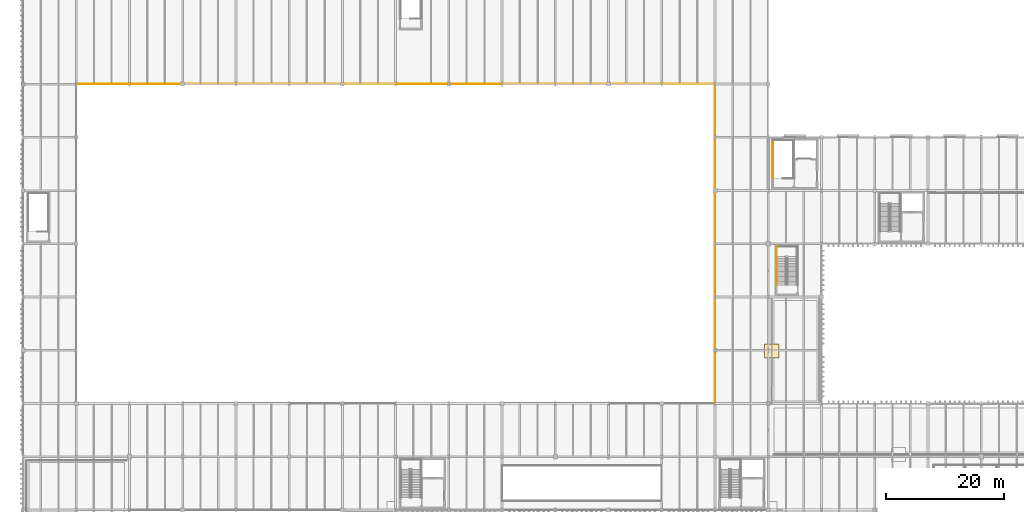
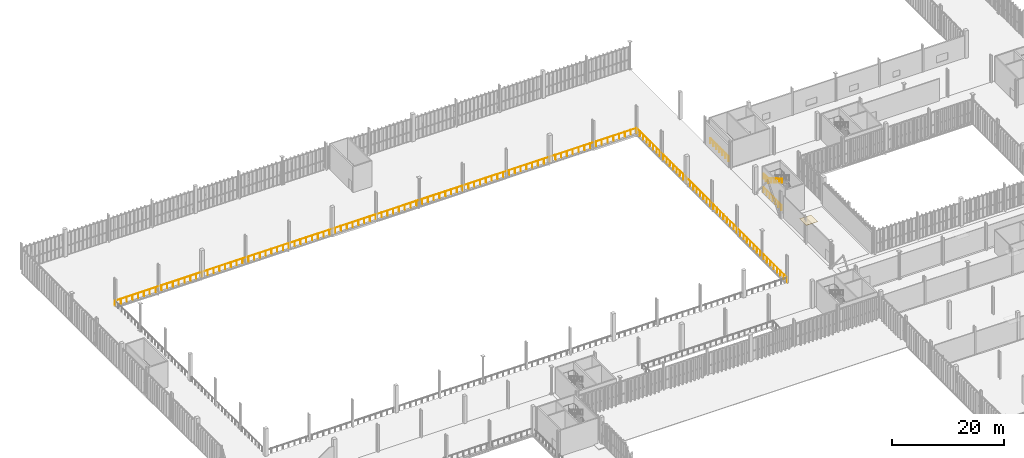
# One storey, part 198 of 211: 6 railings, 1 covering.
"""IFC4 building model written with IfcOpenShell, lengths in metres."""

from ifc_helpers import new_model, si_unit, direction, frame, origin, origin_2d, place, context, subcontext, project, spatial, polyline, circle, outline, extrude, material, layer, layer_set, type_object, element, save


model = new_model("IFC4")

# Units and contexts
model_context = context("Model", 3, precision=1e-05, world=origin(), true_north=direction((0.0, 1.0)))
body_context = subcontext(model_context, "Body", "Model", "MODEL_VIEW")
ifc_project = project(units=[si_unit("LENGTHUNIT", "METRE"), si_unit("AREAUNIT", "SQUARE_METRE"), si_unit("VOLUMEUNIT", "CUBIC_METRE"), si_unit("PLANEANGLEUNIT", "RADIAN"), si_unit("MASSUNIT", "GRAM", prefix="KILO")], contexts=[model_context])

# Site, building, storey
site_placement = place(None, origin())
site = spatial("IfcSite", under=ifc_project, at=site_placement, CompositionType="ELEMENT")
building_placement = place(site_placement, origin())
building = spatial("IfcBuilding", under=site, at=building_placement, Name="Barlavento Convention Centre", CompositionType="ELEMENT")
storey_placement = place(building_placement, frame((0.0, 0.0, 6.0)))
storey = spatial("IfcBuildingStorey", under=building, at=storey_placement, Name="L01", CompositionType="ELEMENT", Elevation=6.0)

# Covering
ifc_material_1 = material(Name="Perforated mineral-fibre acoustic board")
ifc_layer = layer(ifc_material_1, 0.0400390625)
ifc_layer_set = layer_set([ifc_layer], Name="ARC-COV-CEIL-ACOU")
covering_type = type_object("IfcCoveringType", Name="ARC-COV-CEIL-ACOU", PredefinedType="CEILING", material=ifc_layer_set)
covering_placement = place(storey_placement, frame((0.0, 0.0, 4.85009765625)))
element("IfcCovering", 1, at=covering_placement, inside=storey, type_object=covering_type, Name="L01 acoustic ceiling panel", PredefinedType="CEILING", context=body_context, shape_type="SweptSolid", body=[
    extrude(outline(polyline([(125.39990234375, 70.699951171875), (127.800048828125, 70.699951171875), (127.800048828125, 73.10009765625), (125.39990234375, 73.10009765625), (125.39990234375, 70.699951171875)])), origin(), (0.0, 0.0, 1.0), 0.039794921875),
])

# Railings
ifc_material_2 = material(Name="Stainless steel and laminated glass balustrade", Category="steel")
railing_type_1 = type_object("IfcRailingType", Name="ARC-RAL-BAL-1100", PredefinedType="BALUSTRADE", material=ifc_material_2)
railing_1_placement = place(storey_placement, frame((126.85009765625, 107.530029296875, 0.0)))
element("IfcRailing", 2, at=railing_1_placement, inside=storey, type_object=railing_type_1, Name="L01 stairwell perimeter guard GR01", PredefinedType="BALUSTRADE", context=body_context, shape_type="SweptSolid", body=[
    extrude(circle(Radius=0.02392578125, at=origin_2d()), frame((0.0, 0.0, 1.076171875), z_axis=(0.0, -1.0, 0.0), x_axis=(1.0, 0.0, 0.0)), (0.0, 0.0, 1.0), 6.43505859375),
    extrude(circle(Radius=0.02099609375, at=origin_2d()), origin(), (0.0, 0.0, 1.0), 1.052001953125),
    extrude(circle(Radius=0.02099609375, at=origin_2d()), frame((0.0, -1.072509765625, 0.0)), (0.0, 0.0, 1.0), 1.052001953125),
    extrude(circle(Radius=0.02099609375, at=origin_2d()), frame((0.0, -2.14501953125, 0.0)), (0.0, 0.0, 1.0), 1.052001953125),
    extrude(circle(Radius=0.02099609375, at=origin_2d()), frame((0.0, -3.217529296875, 0.0)), (0.0, 0.0, 1.0), 1.052001953125),
    extrude(circle(Radius=0.02099609375, at=origin_2d()), frame((0.0, -4.2900390625, 0.0)), (0.0, 0.0, 1.0), 1.052001953125),
    extrude(circle(Radius=0.02099609375, at=origin_2d()), frame((0.0, -5.362548828125, 0.0)), (0.0, 0.0, 1.0), 1.052001953125),
    extrude(circle(Radius=0.02099609375, at=origin_2d()), frame((0.0, -6.43505859375, 0.0)), (0.0, 0.0, 1.0), 1.052001953125),
])
railing_2_placement = place(storey_placement, frame((127.449951171875, 87.830078125, 3.0)))
element("IfcRailing", 3, at=railing_2_placement, inside=storey, type_object=railing_type_1, Name="L01 landing guard GR01", PredefinedType="BALUSTRADE", context=body_context, shape_type="SweptSolid", body=[
    extrude(circle(Radius=0.02392578125, at=origin_2d()), frame((0.0, 0.0, 1.076171875), z_axis=(0.0, 1.0, 0.0), x_axis=(-1.0, 0.0, 0.0)), (0.0, 0.0, 1.0), 1.699951171875),
    extrude(circle(Radius=0.02099609375, at=origin_2d()), origin(), (0.0, 0.0, 1.0), 1.052001953125),
    extrude(circle(Radius=0.02099609375, at=origin_2d()), frame((0.0, 0.85009765625, 0.0)), (0.0, 0.0, 1.0), 1.052001953125),
    extrude(circle(Radius=0.02099609375, at=origin_2d()), frame((0.0, 1.699951171875, 0.0)), (0.0, 0.0, 1.0), 1.052001953125),
])
railing_3_placement = place(storey_placement, frame((127.449951171875, 89.530029296875, 0.0)))
element("IfcRailing", 4, at=railing_3_placement, inside=storey, type_object=railing_type_1, Name="L01 stairwell perimeter guard GR01", PredefinedType="BALUSTRADE", context=body_context, shape_type="SweptSolid", body=[
    extrude(circle(Radius=0.02392578125, at=origin_2d()), frame((0.0, 0.0, 1.076171875), z_axis=(0.0, -1.0, 0.0), x_axis=(1.0, 0.0, 0.0)), (0.0, 0.0, 1.0), 6.43505859375),
    extrude(circle(Radius=0.02099609375, at=origin_2d()), origin(), (0.0, 0.0, 1.0), 1.052001953125),
    extrude(circle(Radius=0.02099609375, at=origin_2d()), frame((0.0, -1.072509765625, 0.0)), (0.0, 0.0, 1.0), 1.052001953125),
    extrude(circle(Radius=0.02099609375, at=origin_2d()), frame((0.0, -2.14501953125, 0.0)), (0.0, 0.0, 1.0), 1.052001953125),
    extrude(circle(Radius=0.02099609375, at=origin_2d()), frame((0.0, -3.217529296875, 0.0)), (0.0, 0.0, 1.0), 1.052001953125),
    extrude(circle(Radius=0.02099609375, at=origin_2d()), frame((0.0, -4.2900390625, 0.0)), (0.0, 0.0, 1.0), 1.052001953125),
    extrude(circle(Radius=0.02099609375, at=origin_2d()), frame((0.0, -5.362548828125, 0.0)), (0.0, 0.0, 1.0), 1.052001953125),
    extrude(circle(Radius=0.02099609375, at=origin_2d()), frame((0.0, -6.43505859375, 0.0)), (0.0, 0.0, 1.0), 1.052001953125),
])
railing_4_placement = place(storey_placement, frame((117.0, 63.0, 0.0)))
element("IfcRailing", 5, at=railing_4_placement, inside=storey, type_object=railing_type_1, Name="L01 interior atrium or gallery balustrade GR01", PredefinedType="BALUSTRADE", context=body_context, shape_type="SweptSolid", body=[
    extrude(circle(Radius=0.02392578125, at=origin_2d()), frame((0.0, 0.0, 1.076171875), z_axis=(0.0, 1.0, 0.0), x_axis=(-1.0, 0.0, 0.0)), (0.0, 0.0, 1.0), 54.0),
    extrude(circle(Radius=0.02099609375, at=origin_2d()), origin(), (0.0, 0.0, 1.0), 1.052001953125),
    extrude(circle(Radius=0.02099609375, at=origin_2d()), frame((0.0, 1.199951171875, 0.0)), (0.0, 0.0, 1.0), 1.052001953125),
    extrude(circle(Radius=0.02099609375, at=origin_2d()), frame((0.0, 2.39990234375, 0.0)), (0.0, 0.0, 1.0), 1.052001953125),
    extrude(circle(Radius=0.02099609375, at=origin_2d()), frame((0.0, 3.60009765625, 0.0)), (0.0, 0.0, 1.0), 1.052001953125),
    extrude(circle(Radius=0.02099609375, at=origin_2d()), frame((0.0, 4.800048828125, 0.0)), (0.0, 0.0, 1.0), 1.052001953125),
    extrude(circle(Radius=0.02099609375, at=origin_2d()), frame((0.0, 6.0, 0.0)), (0.0, 0.0, 1.0), 1.052001953125),
    extrude(circle(Radius=0.02099609375, at=origin_2d()), frame((0.0, 7.199951171875, 0.0)), (0.0, 0.0, 1.0), 1.052001953125),
    extrude(circle(Radius=0.02099609375, at=origin_2d()), frame((0.0, 8.39990234375, 0.0)), (0.0, 0.0, 1.0), 1.052001953125),
    extrude(circle(Radius=0.02099609375, at=origin_2d()), frame((0.0, 9.60009765625, 0.0)), (0.0, 0.0, 1.0), 1.052001953125),
    extrude(circle(Radius=0.02099609375, at=origin_2d()), frame((0.0, 10.800048828125, 0.0)), (0.0, 0.0, 1.0), 1.052001953125),
    extrude(circle(Radius=0.02099609375, at=origin_2d()), frame((0.0, 12.0, 0.0)), (0.0, 0.0, 1.0), 1.052001953125),
    extrude(circle(Radius=0.02099609375, at=origin_2d()), frame((0.0, 13.199951171875, 0.0)), (0.0, 0.0, 1.0), 1.052001953125),
    extrude(circle(Radius=0.02099609375, at=origin_2d()), frame((0.0, 14.39990234375, 0.0)), (0.0, 0.0, 1.0), 1.052001953125),
    extrude(circle(Radius=0.02099609375, at=origin_2d()), frame((0.0, 15.60009765625, 0.0)), (0.0, 0.0, 1.0), 1.052001953125),
    extrude(circle(Radius=0.02099609375, at=origin_2d()), frame((0.0, 16.800048828125, 0.0)), (0.0, 0.0, 1.0), 1.052001953125),
    extrude(circle(Radius=0.02099609375, at=origin_2d()), frame((0.0, 18.0, 0.0)), (0.0, 0.0, 1.0), 1.052001953125),
    extrude(circle(Radius=0.02099609375, at=origin_2d()), frame((0.0, 19.199951171875, 0.0)), (0.0, 0.0, 1.0), 1.052001953125),
    extrude(circle(Radius=0.02099609375, at=origin_2d()), frame((0.0, 20.39990234375, 0.0)), (0.0, 0.0, 1.0), 1.052001953125),
    extrude(circle(Radius=0.02099609375, at=origin_2d()), frame((0.0, 21.60009765625, 0.0)), (0.0, 0.0, 1.0), 1.052001953125),
    extrude(circle(Radius=0.02099609375, at=origin_2d()), frame((0.0, 22.800048828125, 0.0)), (0.0, 0.0, 1.0), 1.052001953125),
    extrude(circle(Radius=0.02099609375, at=origin_2d()), frame((0.0, 24.0, 0.0)), (0.0, 0.0, 1.0), 1.052001953125),
    extrude(circle(Radius=0.02099609375, at=origin_2d()), frame((0.0, 25.199951171875, 0.0)), (0.0, 0.0, 1.0), 1.052001953125),
    extrude(circle(Radius=0.02099609375, at=origin_2d()), frame((0.0, 26.39990234375, 0.0)), (0.0, 0.0, 1.0), 1.052001953125),
    extrude(circle(Radius=0.02099609375, at=origin_2d()), frame((0.0, 27.60009765625, 0.0)), (0.0, 0.0, 1.0), 1.052001953125),
    extrude(circle(Radius=0.02099609375, at=origin_2d()), frame((0.0, 28.800048828125, 0.0)), (0.0, 0.0, 1.0), 1.052001953125),
    extrude(circle(Radius=0.02099609375, at=origin_2d()), frame((0.0, 30.0, 0.0)), (0.0, 0.0, 1.0), 1.052001953125),
    extrude(circle(Radius=0.02099609375, at=origin_2d()), frame((0.0, 31.199951171875, 0.0)), (0.0, 0.0, 1.0), 1.052001953125),
    extrude(circle(Radius=0.02099609375, at=origin_2d()), frame((0.0, 32.39990234375, 0.0)), (0.0, 0.0, 1.0), 1.052001953125),
    extrude(circle(Radius=0.02099609375, at=origin_2d()), frame((0.0, 33.60009765625, 0.0)), (0.0, 0.0, 1.0), 1.052001953125),
    extrude(circle(Radius=0.02099609375, at=origin_2d()), frame((0.0, 34.800048828125, 0.0)), (0.0, 0.0, 1.0), 1.052001953125),
    extrude(circle(Radius=0.02099609375, at=origin_2d()), frame((0.0, 36.0, 0.0)), (0.0, 0.0, 1.0), 1.052001953125),
    extrude(circle(Radius=0.02099609375, at=origin_2d()), frame((0.0, 37.199951171875, 0.0)), (0.0, 0.0, 1.0), 1.052001953125),
    extrude(circle(Radius=0.02099609375, at=origin_2d()), frame((0.0, 38.39990234375, 0.0)), (0.0, 0.0, 1.0), 1.052001953125),
    extrude(circle(Radius=0.02099609375, at=origin_2d()), frame((0.0, 39.60009765625, 0.0)), (0.0, 0.0, 1.0), 1.052001953125),
    extrude(circle(Radius=0.02099609375, at=origin_2d()), frame((0.0, 40.800048828125, 0.0)), (0.0, 0.0, 1.0), 1.052001953125),
    extrude(circle(Radius=0.02099609375, at=origin_2d()), frame((0.0, 42.0, 0.0)), (0.0, 0.0, 1.0), 1.052001953125),
    extrude(circle(Radius=0.02099609375, at=origin_2d()), frame((0.0, 43.199951171875, 0.0)), (0.0, 0.0, 1.0), 1.052001953125),
    extrude(circle(Radius=0.02099609375, at=origin_2d()), frame((0.0, 44.39990234375, 0.0)), (0.0, 0.0, 1.0), 1.052001953125),
    extrude(circle(Radius=0.02099609375, at=origin_2d()), frame((0.0, 45.60009765625, 0.0)), (0.0, 0.0, 1.0), 1.052001953125),
    extrude(circle(Radius=0.02099609375, at=origin_2d()), frame((0.0, 46.800048828125, 0.0)), (0.0, 0.0, 1.0), 1.052001953125),
    extrude(circle(Radius=0.02099609375, at=origin_2d()), frame((0.0, 48.0, 0.0)), (0.0, 0.0, 1.0), 1.052001953125),
    extrude(circle(Radius=0.02099609375, at=origin_2d()), frame((0.0, 49.199951171875, 0.0)), (0.0, 0.0, 1.0), 1.052001953125),
    extrude(circle(Radius=0.02099609375, at=origin_2d()), frame((0.0, 50.39990234375, 0.0)), (0.0, 0.0, 1.0), 1.052001953125),
    extrude(circle(Radius=0.02099609375, at=origin_2d()), frame((0.0, 51.60009765625, 0.0)), (0.0, 0.0, 1.0), 1.052001953125),
    extrude(circle(Radius=0.02099609375, at=origin_2d()), frame((0.0, 52.800048828125, 0.0)), (0.0, 0.0, 1.0), 1.052001953125),
    extrude(circle(Radius=0.02099609375, at=origin_2d()), frame((0.0, 54.0, 0.0)), (0.0, 0.0, 1.0), 1.052001953125),
])
railing_5_placement = place(storey_placement, frame((117.0, 117.0, 0.0)))
element("IfcRailing", 6, at=railing_5_placement, inside=storey, type_object=railing_type_1, Name="L01 interior atrium or gallery balustrade GR01", PredefinedType="BALUSTRADE", context=body_context, shape_type="SweptSolid", body=[
    extrude(circle(Radius=0.02392578125, at=origin_2d()), frame((0.0, 0.0, 1.076171875), z_axis=(-1.0, 0.0, 0.0), x_axis=(0.0, -1.0, 0.0)), (0.0, 0.0, 1.0), 108.0),
    extrude(circle(Radius=0.02099609375, at=origin_2d()), origin(), (0.0, 0.0, 1.0), 1.052001953125),
    extrude(circle(Radius=0.02099609375, at=origin_2d()), frame((-1.199951171875, 0.0, 0.0)), (0.0, 0.0, 1.0), 1.052001953125),
    extrude(circle(Radius=0.02099609375, at=origin_2d()), frame((-2.39990234375, 0.0, 0.0)), (0.0, 0.0, 1.0), 1.052001953125),
    extrude(circle(Radius=0.02099609375, at=origin_2d()), frame((-3.60009765625, 0.0, 0.0)), (0.0, 0.0, 1.0), 1.052001953125),
    extrude(circle(Radius=0.02099609375, at=origin_2d()), frame((-4.800048828125, 0.0, 0.0)), (0.0, 0.0, 1.0), 1.052001953125),
    extrude(circle(Radius=0.02099609375, at=origin_2d()), frame((-6.0, 0.0, 0.0)), (0.0, 0.0, 1.0), 1.052001953125),
    extrude(circle(Radius=0.02099609375, at=origin_2d()), frame((-7.199951171875, 0.0, 0.0)), (0.0, 0.0, 1.0), 1.052001953125),
    extrude(circle(Radius=0.02099609375, at=origin_2d()), frame((-8.39990234375, 0.0, 0.0)), (0.0, 0.0, 1.0), 1.052001953125),
    extrude(circle(Radius=0.02099609375, at=origin_2d()), frame((-9.60009765625, 0.0, 0.0)), (0.0, 0.0, 1.0), 1.052001953125),
    extrude(circle(Radius=0.02099609375, at=origin_2d()), frame((-10.800048828125, 0.0, 0.0)), (0.0, 0.0, 1.0), 1.052001953125),
    extrude(circle(Radius=0.02099609375, at=origin_2d()), frame((-12.0, 0.0, 0.0)), (0.0, 0.0, 1.0), 1.052001953125),
    extrude(circle(Radius=0.02099609375, at=origin_2d()), frame((-13.199951171875, 0.0, 0.0)), (0.0, 0.0, 1.0), 1.052001953125),
    extrude(circle(Radius=0.02099609375, at=origin_2d()), frame((-14.39990234375, 0.0, 0.0)), (0.0, 0.0, 1.0), 1.052001953125),
    extrude(circle(Radius=0.02099609375, at=origin_2d()), frame((-15.60009765625, 0.0, 0.0)), (0.0, 0.0, 1.0), 1.052001953125),
    extrude(circle(Radius=0.02099609375, at=origin_2d()), frame((-16.800048828125, 0.0, 0.0)), (0.0, 0.0, 1.0), 1.052001953125),
    extrude(circle(Radius=0.02099609375, at=origin_2d()), frame((-18.0, 0.0, 0.0)), (0.0, 0.0, 1.0), 1.052001953125),
    extrude(circle(Radius=0.02099609375, at=origin_2d()), frame((-19.199951171875, 0.0, 0.0)), (0.0, 0.0, 1.0), 1.052001953125),
    extrude(circle(Radius=0.02099609375, at=origin_2d()), frame((-20.39990234375, 0.0, 0.0)), (0.0, 0.0, 1.0), 1.052001953125),
    extrude(circle(Radius=0.02099609375, at=origin_2d()), frame((-21.60009765625, 0.0, 0.0)), (0.0, 0.0, 1.0), 1.052001953125),
    extrude(circle(Radius=0.02099609375, at=origin_2d()), frame((-22.800048828125, 0.0, 0.0)), (0.0, 0.0, 1.0), 1.052001953125),
    extrude(circle(Radius=0.02099609375, at=origin_2d()), frame((-24.0, 0.0, 0.0)), (0.0, 0.0, 1.0), 1.052001953125),
    extrude(circle(Radius=0.02099609375, at=origin_2d()), frame((-25.199951171875, 0.0, 0.0)), (0.0, 0.0, 1.0), 1.052001953125),
    extrude(circle(Radius=0.02099609375, at=origin_2d()), frame((-26.39990234375, 0.0, 0.0)), (0.0, 0.0, 1.0), 1.052001953125),
    extrude(circle(Radius=0.02099609375, at=origin_2d()), frame((-27.60009765625, 0.0, 0.0)), (0.0, 0.0, 1.0), 1.052001953125),
    extrude(circle(Radius=0.02099609375, at=origin_2d()), frame((-28.800048828125, 0.0, 0.0)), (0.0, 0.0, 1.0), 1.052001953125),
    extrude(circle(Radius=0.02099609375, at=origin_2d()), frame((-30.0, 0.0, 0.0)), (0.0, 0.0, 1.0), 1.052001953125),
    extrude(circle(Radius=0.02099609375, at=origin_2d()), frame((-31.199951171875, 0.0, 0.0)), (0.0, 0.0, 1.0), 1.052001953125),
    extrude(circle(Radius=0.02099609375, at=origin_2d()), frame((-32.39990234375, 0.0, 0.0)), (0.0, 0.0, 1.0), 1.052001953125),
    extrude(circle(Radius=0.02099609375, at=origin_2d()), frame((-33.60009765625, 0.0, 0.0)), (0.0, 0.0, 1.0), 1.052001953125),
    extrude(circle(Radius=0.02099609375, at=origin_2d()), frame((-34.800048828125, 0.0, 0.0)), (0.0, 0.0, 1.0), 1.052001953125),
    extrude(circle(Radius=0.02099609375, at=origin_2d()), frame((-36.0, 0.0, 0.0)), (0.0, 0.0, 1.0), 1.052001953125),
    extrude(circle(Radius=0.02099609375, at=origin_2d()), frame((-37.199951171875, 0.0, 0.0)), (0.0, 0.0, 1.0), 1.052001953125),
    extrude(circle(Radius=0.02099609375, at=origin_2d()), frame((-38.39990234375, 0.0, 0.0)), (0.0, 0.0, 1.0), 1.052001953125),
    extrude(circle(Radius=0.02099609375, at=origin_2d()), frame((-39.60009765625, 0.0, 0.0)), (0.0, 0.0, 1.0), 1.052001953125),
    extrude(circle(Radius=0.02099609375, at=origin_2d()), frame((-40.800048828125, 0.0, 0.0)), (0.0, 0.0, 1.0), 1.052001953125),
    extrude(circle(Radius=0.02099609375, at=origin_2d()), frame((-42.0, 0.0, 0.0)), (0.0, 0.0, 1.0), 1.052001953125),
    extrude(circle(Radius=0.02099609375, at=origin_2d()), frame((-43.199951171875, 0.0, 0.0)), (0.0, 0.0, 1.0), 1.052001953125),
    extrude(circle(Radius=0.02099609375, at=origin_2d()), frame((-44.39990234375, 0.0, 0.0)), (0.0, 0.0, 1.0), 1.052001953125),
    extrude(circle(Radius=0.02099609375, at=origin_2d()), frame((-45.60009765625, 0.0, 0.0)), (0.0, 0.0, 1.0), 1.052001953125),
    extrude(circle(Radius=0.02099609375, at=origin_2d()), frame((-46.800048828125, 0.0, 0.0)), (0.0, 0.0, 1.0), 1.052001953125),
    extrude(circle(Radius=0.02099609375, at=origin_2d()), frame((-48.0, 0.0, 0.0)), (0.0, 0.0, 1.0), 1.052001953125),
    extrude(circle(Radius=0.02099609375, at=origin_2d()), frame((-49.199951171875, 0.0, 0.0)), (0.0, 0.0, 1.0), 1.052001953125),
    extrude(circle(Radius=0.02099609375, at=origin_2d()), frame((-50.39990234375, 0.0, 0.0)), (0.0, 0.0, 1.0), 1.052001953125),
    extrude(circle(Radius=0.02099609375, at=origin_2d()), frame((-51.60009765625, 0.0, 0.0)), (0.0, 0.0, 1.0), 1.052001953125),
    extrude(circle(Radius=0.02099609375, at=origin_2d()), frame((-52.800048828125, 0.0, 0.0)), (0.0, 0.0, 1.0), 1.052001953125),
    extrude(circle(Radius=0.02099609375, at=origin_2d()), frame((-54.0, 0.0, 0.0)), (0.0, 0.0, 1.0), 1.052001953125),
    extrude(circle(Radius=0.02099609375, at=origin_2d()), frame((-55.199951171875, 0.0, 0.0)), (0.0, 0.0, 1.0), 1.052001953125),
    extrude(circle(Radius=0.02099609375, at=origin_2d()), frame((-56.39990234375, 0.0, 0.0)), (0.0, 0.0, 1.0), 1.052001953125),
    extrude(circle(Radius=0.02099609375, at=origin_2d()), frame((-57.60009765625, 0.0, 0.0)), (0.0, 0.0, 1.0), 1.052001953125),
    extrude(circle(Radius=0.02099609375, at=origin_2d()), frame((-58.800048828125, 0.0, 0.0)), (0.0, 0.0, 1.0), 1.052001953125),
    extrude(circle(Radius=0.02099609375, at=origin_2d()), frame((-60.0, 0.0, 0.0)), (0.0, 0.0, 1.0), 1.052001953125),
    extrude(circle(Radius=0.02099609375, at=origin_2d()), frame((-61.199951171875, 0.0, 0.0)), (0.0, 0.0, 1.0), 1.052001953125),
    extrude(circle(Radius=0.02099609375, at=origin_2d()), frame((-62.39990234375, 0.0, 0.0)), (0.0, 0.0, 1.0), 1.052001953125),
    extrude(circle(Radius=0.02099609375, at=origin_2d()), frame((-63.60009765625, 0.0, 0.0)), (0.0, 0.0, 1.0), 1.052001953125),
    extrude(circle(Radius=0.02099609375, at=origin_2d()), frame((-64.800048828125, 0.0, 0.0)), (0.0, 0.0, 1.0), 1.052001953125),
    extrude(circle(Radius=0.02099609375, at=origin_2d()), frame((-66.0, 0.0, 0.0)), (0.0, 0.0, 1.0), 1.052001953125),
    extrude(circle(Radius=0.02099609375, at=origin_2d()), frame((-67.199951171875, 0.0, 0.0)), (0.0, 0.0, 1.0), 1.052001953125),
    extrude(circle(Radius=0.02099609375, at=origin_2d()), frame((-68.39990234375, 0.0, 0.0)), (0.0, 0.0, 1.0), 1.052001953125),
    extrude(circle(Radius=0.02099609375, at=origin_2d()), frame((-69.60009765625, 0.0, 0.0)), (0.0, 0.0, 1.0), 1.052001953125),
    extrude(circle(Radius=0.02099609375, at=origin_2d()), frame((-70.800048828125, 0.0, 0.0)), (0.0, 0.0, 1.0), 1.052001953125),
    extrude(circle(Radius=0.02099609375, at=origin_2d()), frame((-72.0, 0.0, 0.0)), (0.0, 0.0, 1.0), 1.052001953125),
    extrude(circle(Radius=0.02099609375, at=origin_2d()), frame((-73.199951171875, 0.0, 0.0)), (0.0, 0.0, 1.0), 1.052001953125),
    extrude(circle(Radius=0.02099609375, at=origin_2d()), frame((-74.39990234375, 0.0, 0.0)), (0.0, 0.0, 1.0), 1.052001953125),
    extrude(circle(Radius=0.02099609375, at=origin_2d()), frame((-75.60009765625, 0.0, 0.0)), (0.0, 0.0, 1.0), 1.052001953125),
    extrude(circle(Radius=0.02099609375, at=origin_2d()), frame((-76.800048828125, 0.0, 0.0)), (0.0, 0.0, 1.0), 1.052001953125),
    extrude(circle(Radius=0.02099609375, at=origin_2d()), frame((-78.0, 0.0, 0.0)), (0.0, 0.0, 1.0), 1.052001953125),
    extrude(circle(Radius=0.02099609375, at=origin_2d()), frame((-79.199951171875, 0.0, 0.0)), (0.0, 0.0, 1.0), 1.052001953125),
    extrude(circle(Radius=0.02099609375, at=origin_2d()), frame((-80.39990234375, 0.0, 0.0)), (0.0, 0.0, 1.0), 1.052001953125),
    extrude(circle(Radius=0.02099609375, at=origin_2d()), frame((-81.60009765625, 0.0, 0.0)), (0.0, 0.0, 1.0), 1.052001953125),
    extrude(circle(Radius=0.02099609375, at=origin_2d()), frame((-82.800048828125, 0.0, 0.0)), (0.0, 0.0, 1.0), 1.052001953125),
    extrude(circle(Radius=0.02099609375, at=origin_2d()), frame((-84.0, 0.0, 0.0)), (0.0, 0.0, 1.0), 1.052001953125),
    extrude(circle(Radius=0.02099609375, at=origin_2d()), frame((-85.199951171875, 0.0, 0.0)), (0.0, 0.0, 1.0), 1.052001953125),
    extrude(circle(Radius=0.02099609375, at=origin_2d()), frame((-86.39990234375, 0.0, 0.0)), (0.0, 0.0, 1.0), 1.052001953125),
    extrude(circle(Radius=0.02099609375, at=origin_2d()), frame((-87.60009765625, 0.0, 0.0)), (0.0, 0.0, 1.0), 1.052001953125),
    extrude(circle(Radius=0.02099609375, at=origin_2d()), frame((-88.800048828125, 0.0, 0.0)), (0.0, 0.0, 1.0), 1.052001953125),
    extrude(circle(Radius=0.02099609375, at=origin_2d()), frame((-90.0, 0.0, 0.0)), (0.0, 0.0, 1.0), 1.052001953125),
    extrude(circle(Radius=0.02099609375, at=origin_2d()), frame((-91.199951171875, 0.0, 0.0)), (0.0, 0.0, 1.0), 1.052001953125),
    extrude(circle(Radius=0.02099609375, at=origin_2d()), frame((-92.39990234375, 0.0, 0.0)), (0.0, 0.0, 1.0), 1.052001953125),
    extrude(circle(Radius=0.02099609375, at=origin_2d()), frame((-93.60009765625, 0.0, 0.0)), (0.0, 0.0, 1.0), 1.052001953125),
    extrude(circle(Radius=0.02099609375, at=origin_2d()), frame((-94.800048828125, 0.0, 0.0)), (0.0, 0.0, 1.0), 1.052001953125),
    extrude(circle(Radius=0.02099609375, at=origin_2d()), frame((-96.0, 0.0, 0.0)), (0.0, 0.0, 1.0), 1.052001953125),
    extrude(circle(Radius=0.02099609375, at=origin_2d()), frame((-97.199951171875, 0.0, 0.0)), (0.0, 0.0, 1.0), 1.052001953125),
    extrude(circle(Radius=0.02099609375, at=origin_2d()), frame((-98.39990234375, 0.0, 0.0)), (0.0, 0.0, 1.0), 1.052001953125),
    extrude(circle(Radius=0.02099609375, at=origin_2d()), frame((-99.60009765625, 0.0, 0.0)), (0.0, 0.0, 1.0), 1.052001953125),
    extrude(circle(Radius=0.02099609375, at=origin_2d()), frame((-100.800048828125, 0.0, 0.0)), (0.0, 0.0, 1.0), 1.052001953125),
    extrude(circle(Radius=0.02099609375, at=origin_2d()), frame((-102.0, 0.0, 0.0)), (0.0, 0.0, 1.0), 1.052001953125),
    extrude(circle(Radius=0.02099609375, at=origin_2d()), frame((-103.199951171875, 0.0, 0.0)), (0.0, 0.0, 1.0), 1.052001953125),
    extrude(circle(Radius=0.02099609375, at=origin_2d()), frame((-104.39990234375, 0.0, 0.0)), (0.0, 0.0, 1.0), 1.052001953125),
    extrude(circle(Radius=0.02099609375, at=origin_2d()), frame((-105.60009765625, 0.0, 0.0)), (0.0, 0.0, 1.0), 1.052001953125),
    extrude(circle(Radius=0.02099609375, at=origin_2d()), frame((-106.800048828125, 0.0, 0.0)), (0.0, 0.0, 1.0), 1.052001953125),
    extrude(circle(Radius=0.02099609375, at=origin_2d()), frame((-108.0, 0.0, 0.0)), (0.0, 0.0, 1.0), 1.052001953125),
])
ifc_material_3 = material(Name="Brushed stainless steel tubular handrail", Category="steel")
railing_type_2 = type_object("IfcRailingType", Name="ARC-RAL-HR-900", PredefinedType="HANDRAIL", material=ifc_material_3)
railing_6_placement = place(storey_placement, frame((127.5, 87.830078125, 3.166748046875)))
element("IfcRailing", 7, at=railing_6_placement, inside=storey, type_object=railing_type_2, Name="L01 ST12 stair handrail 2", PredefinedType="HANDRAIL", context=body_context, shape_type="SweptSolid", body=[
    extrude(circle(Radius=0.02392578125, at=origin_2d()), frame((0.0, 0.0, 0.8759765625), z_axis=(0.0, -0.859299802514, 0.511472237174), x_axis=(1.0, 0.0, 0.0)), (0.0, 0.0, 1.0), 5.539306640625),
    extrude(circle(Radius=0.02099609375, at=origin_2d()), origin(), (0.0, 0.0, 1.0), 0.851806640625),
    extrude(circle(Radius=0.02099609375, at=origin_2d()), frame((0.0, -0.951904296875, 0.566650390625)), (0.0, 0.0, 1.0), 0.851806640625),
    extrude(circle(Radius=0.02099609375, at=origin_2d()), frame((0.0, -1.904052734375, 1.13330078125)), (0.0, 0.0, 1.0), 0.851806640625),
    extrude(circle(Radius=0.02099609375, at=origin_2d()), frame((0.0, -2.85595703125, 1.699951171875)), (0.0, 0.0, 1.0), 0.851806640625),
    extrude(circle(Radius=0.02099609375, at=origin_2d()), frame((0.0, -3.80810546875, 2.2666015625)), (0.0, 0.0, 1.0), 0.851806640625),
    extrude(circle(Radius=0.02099609375, at=origin_2d()), frame((0.0, -4.760009765625, 2.833251953125)), (0.0, 0.0, 1.0), 0.851806640625),
])

save(model, "model.ifc")
